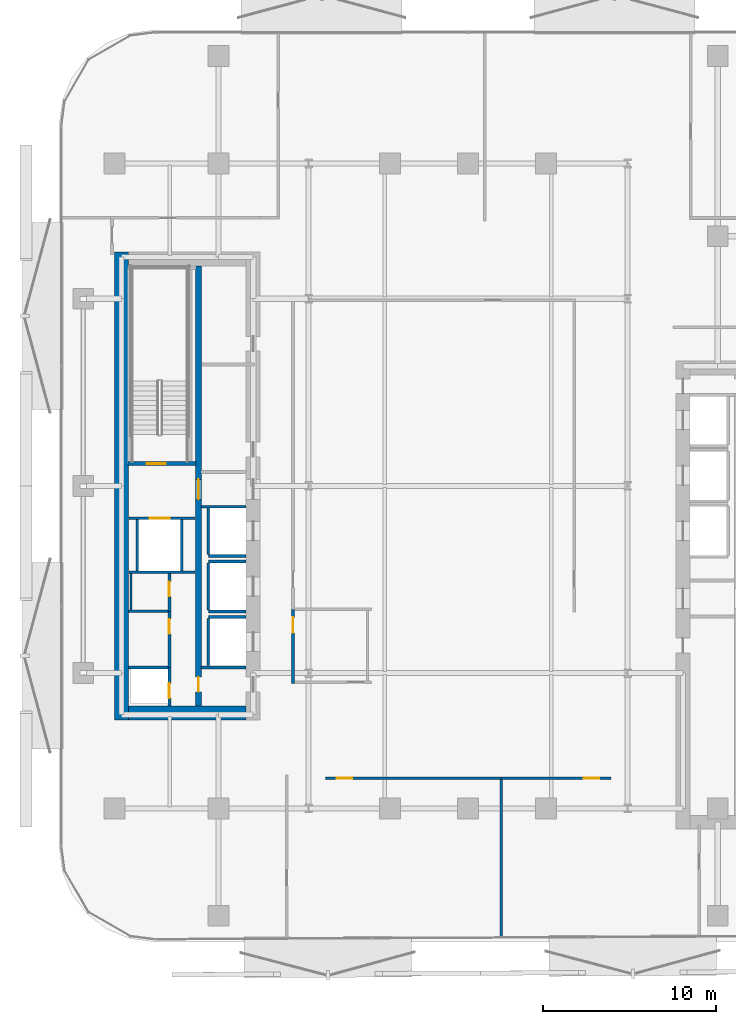
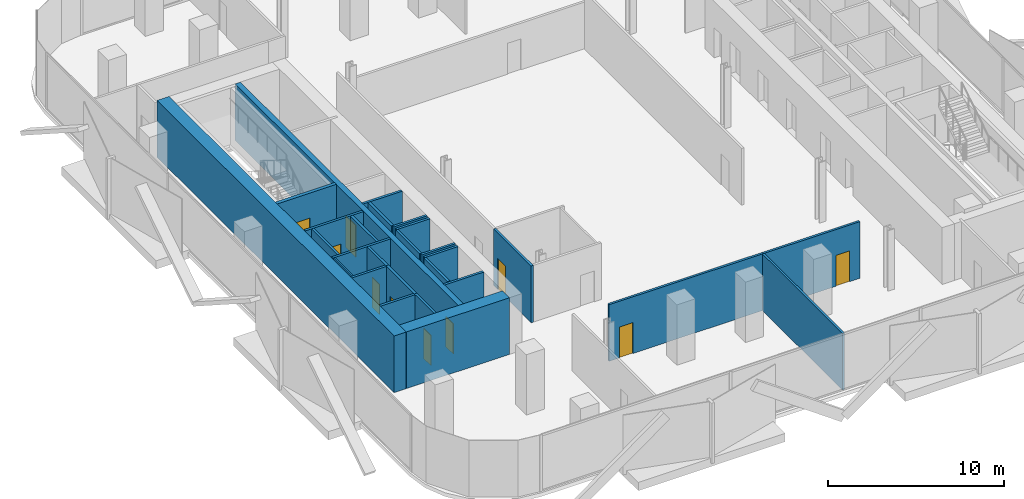
# One storey, part 3 of 15: 27 walls, 10 doors, 10 openings.
"""IFC4 building model written with IfcOpenShell, lengths in metres."""

from ifc_helpers import new_model, si_unit, direction, frame, frame_2d, origin, place, context, subcontext, project, spatial, rectangle, extrude, material, layer, layer_set, type_object, element, fill, save


model = new_model("IFC4")

# Units and contexts
model_context = context("Model", 3, precision=1e-05, world=origin(), true_north=direction((0.0, 1.0)))
body_context = subcontext(model_context, "Body", "Model", "MODEL_VIEW")
ifc_project = project(units=[si_unit("LENGTHUNIT", "METRE"), si_unit("AREAUNIT", "SQUARE_METRE"), si_unit("VOLUMEUNIT", "CUBIC_METRE"), si_unit("PLANEANGLEUNIT", "RADIAN"), si_unit("MASSUNIT", "GRAM", prefix="KILO")], contexts=[model_context])

# Site, building, storey
site_placement = place(None, origin())
site = spatial("IfcSite", under=ifc_project, at=site_placement, CompositionType="ELEMENT")
building_placement = place(site_placement, origin())
building = spatial("IfcBuilding", under=site, at=building_placement, Name="Khairoan Windgate Tower", CompositionType="ELEMENT")
storey_placement = place(building_placement, frame((0.0, 0.0, 143.60009765625)))
storey = spatial("IfcBuildingStorey", under=building, at=storey_placement, Name="L33", CompositionType="ELEMENT", Elevation=143.60009765625)

# Walls
ifc_material_1 = material(Name="Moisture-Resistant Gypsum Partition", Category="gypsum")
ifc_layer_1 = layer(ifc_material_1, 0.10009765625, Name="Moisture-Resistant Gypsum Partition")
ifc_layer_set_1 = layer_set([ifc_layer_1], Name="Moisture-Resistant Gypsum Partition")
wall_type_1 = type_object("IfcWallType", Name="Bathroom Wet-Area Partition Wall", PredefinedType="PARTITIONING", material=ifc_layer_set_1)
wall_1_placement = place(storey_placement, frame((-19.449951171875, -7.14990234375, 0.0), z_axis=(0.0, 0.0, 1.0), x_axis=(0.0, 1.0, 0.0)))
element("IfcWall", 1, at=wall_1_placement, inside=storey, type_object=wall_type_1, Name="L33 Wet Room Side Wall 034", PredefinedType="PARTITIONING", context=body_context, shape_type="SweptSolid", body=[
    extrude(rectangle(XDim=2.08984375, YDim=0.10009765625, at=frame_2d((1.044921875, 0.0))), origin(), (0.0, 0.0, 1.0), 3.93994140625),
])
ifc_material_2 = material(Name="Concrete C40/50", Category="concrete")
ifc_layer_2 = layer(ifc_material_2, 0.159912109375, Name="Concrete C40/50")
ifc_layer_set_2 = layer_set([ifc_layer_2], Name="Concrete C40/50")
wall_type_2 = type_object("IfcWallType", Name="Core and Hoistway Enclosure Wall", PredefinedType="STANDARD", material=ifc_layer_set_2)
wall_2_placement = place(storey_placement, frame((-14.989990234375, -4.0400390625, 0.0), z_axis=(0.0, 0.0, 1.0), x_axis=(1.0, 0.0, 0.0)))
element("IfcWall", 2, at=wall_2_placement, inside=storey, type_object=wall_type_2, Name="L33 Lift PL4 Hoistway Divider S", PredefinedType="STANDARD", context=body_context, shape_type="SweptSolid", body=[
    extrude(rectangle(XDim=2.18994140625, YDim=0.159912109375, at=frame_2d((1.094970703125, 0.0))), origin(), (0.0, 0.0, 1.0), 3.93994140625),
])
wall_3_placement = place(storey_placement, frame((-14.989990234375, -3.949951171875, 0.0), z_axis=(0.0, 0.0, 1.0), x_axis=(0.0, 1.0, 0.0)))
element("IfcWall", 3, at=wall_3_placement, inside=storey, type_object=wall_type_2, Name="L33 Lift PL4 Hoistway Back Wall", PredefinedType="STANDARD", context=body_context, shape_type="SweptSolid", body=[
    extrude(rectangle(XDim=2.699951171875, YDim=0.159912109375, at=frame_2d((1.35009765625, 0.0))), origin(), (0.0, 0.0, 1.0), 3.93994140625),
])
for number, where, z_axis, x_axis, name in (
    (4, (-14.989990234375, -7.239990234375, 0.0), (0.0, 0.0, 1.0), (1.0, 0.0, 0.0), "L33 Lift PL5 Hoistway Divider S"),
    (5, (-14.989990234375, -4.360107421875, 0.0), (0.0, 0.0, 1.0), (1.0, 0.0, 0.0), "L33 Lift PL5 Hoistway Divider N"),
):
    element("IfcWall", number, at=place(storey_placement, frame(where, z_axis=z_axis, x_axis=x_axis)), inside=storey, type_object=wall_type_2, Name=name, PredefinedType="STANDARD", context=body_context, shape_type="SweptSolid", body=[
        extrude(rectangle(XDim=2.18994140625, YDim=0.159912109375, at=frame_2d((1.094970703125, 0.0))), origin(), (0.0, 0.0, 1.0), 3.93994140625),
    ])
wall_4_placement = place(storey_placement, frame((-14.989990234375, -7.14990234375, 0.0), z_axis=(0.0, 0.0, 1.0), x_axis=(0.0, 1.0, 0.0)))
element("IfcWall", 6, at=wall_4_placement, inside=storey, type_object=wall_type_2, Name="L33 Lift PL5 Hoistway Back Wall", PredefinedType="STANDARD", context=body_context, shape_type="SweptSolid", body=[
    extrude(rectangle(XDim=2.699951171875, YDim=0.159912109375, at=frame_2d((1.35009765625, 0.0))), origin(), (0.0, 0.0, 1.0), 3.93994140625),
])
wall_5_placement = place(storey_placement, frame((-14.989990234375, -7.56005859375, 0.0), z_axis=(0.0, 0.0, 1.0), x_axis=(1.0, 0.0, 0.0)))
element("IfcWall", 7, at=wall_5_placement, inside=storey, type_object=wall_type_2, Name="L33 Lift PL6 Hoistway Divider N", PredefinedType="STANDARD", context=body_context, shape_type="SweptSolid", body=[
    extrude(rectangle(XDim=2.18994140625, YDim=0.159912109375, at=frame_2d((1.094970703125, 0.0))), origin(), (0.0, 0.0, 1.0), 3.93994140625),
])
wall_6_placement = place(storey_placement, frame((-14.989990234375, -10.35009765625, 0.0), z_axis=(0.0, 0.0, 1.0), x_axis=(0.0, 1.0, 0.0)))
element("IfcWall", 8, at=wall_6_placement, inside=storey, type_object=wall_type_2, Name="L33 Lift PL6 Hoistway Back Wall", PredefinedType="STANDARD", context=body_context, shape_type="SweptSolid", body=[
    extrude(rectangle(XDim=2.7001953125, YDim=0.159912109375, at=frame_2d((1.35009765625, 0.0))), origin(), (0.0, 0.0, 1.0), 3.93994140625),
])

# Wall, opening, door
wall_7_placement = place(storey_placement, frame((-19.550048828125, -1.860107421875, 0.0), z_axis=(0.0, 0.0, 1.0), x_axis=(1.0, 0.0, 0.0)))
wall_7 = element("IfcWall", 9, at=wall_7_placement, inside=storey, type_object=wall_type_2, Name="L33 Core Shaft Wall SW-FL2-L33", PredefinedType="STANDARD", context=body_context, shape_type="SweptSolid", body=[
    extrude(rectangle(XDim=3.800048828125, YDim=0.159912109375, at=frame_2d((1.89990234375, 0.0))), origin(), (0.0, 0.0, 1.0), 3.93994140625),
])
opening_1_placement = place(wall_7_placement, frame((1.179931640625, 0.0, 0.0)))
opening_1 = element("IfcOpeningElement", 10, at=opening_1_placement, cuts=wall_7, Name="Opening LD-FL", PredefinedType="OPENING", context=body_context, shape_type="SweptSolid", body=[
    extrude(rectangle(XDim=1.14990234375, YDim=2.199951171875, at=frame_2d((0.574951171875, 1.10009765625))), frame((0.0, 0.08984375, 0.0), z_axis=(0.0, -1.0, 0.0), x_axis=(1.0, 0.0, 0.0)), (0.0, 0.0, 1.0), 0.179931640625),
])
ifc_material_3 = material(Name="Steel S355", Category="steel")
door_type_1 = type_object("IfcDoorType", Name="Firefighting Lift Sliding Landing Door LD-FL 1150x2200", OperationType="DOUBLE_DOOR_SLIDING", PredefinedType="DOOR", material=ifc_material_3)
door_1_placement = place(opening_1_placement, origin())
door_1 = element("IfcDoor", 11, at=door_1_placement, inside=storey, type_object=door_type_1, Name="L33 Firefighting Lift FL2 Landing Door", OperationType="DOUBLE_DOOR_SLIDING", OverallHeight=2.199951171875, OverallWidth=1.14990234375, PredefinedType="DOOR", context=body_context, shape_type="SweptSolid", body=[
    extrude(rectangle(XDim=1.14990234375, YDim=2.199951171875, at=frame_2d((0.574951171875, 1.10009765625))), frame((0.0, 0.02490234375, 0.0), z_axis=(0.0, -1.0, 0.0), x_axis=(1.0, 0.0, 0.0)), (0.0, 0.0, 1.0), 0.050048828125),
])
fill(opening_1, door_1)

# Walls
wall_8_placement = place(storey_placement, frame((-19.550048828125, -4.97998046875, 0.0), z_axis=(0.0, 0.0, 1.0), x_axis=(1.0, 0.0, 0.0)))
element("IfcWall", 12, at=wall_8_placement, inside=storey, type_object=wall_type_2, Name="L33 Core Shaft Wall SW-FL2B-L33", PredefinedType="STANDARD", context=body_context, shape_type="SweptSolid", body=[
    extrude(rectangle(XDim=3.800048828125, YDim=0.159912109375, at=frame_2d((1.89990234375, 0.0))), origin(), (0.0, 0.0, 1.0), 3.93994140625),
])
for number, where, z_axis, x_axis, name in (
    (13, (-19.080078125, -4.89990234375, 0.0), (0.0, 0.0, 1.0), (0.0, 1.0, 0.0), "L33 Core Shaft Wall SW-FL2W-L33"),
    (14, (-16.52001953125, -4.89990234375, 0.0), (0.0, 0.0, 1.0), (0.0, 1.0, 0.0), "L33 Core Shaft Wall SW-FL2E-L33"),
):
    element("IfcWall", number, at=place(storey_placement, frame(where, z_axis=z_axis, x_axis=x_axis)), inside=storey, type_object=wall_type_2, Name=name, PredefinedType="STANDARD", context=body_context, shape_type="SweptSolid", body=[
        extrude(rectangle(XDim=2.9599609375, YDim=0.159912109375, at=frame_2d((1.47998046875, 0.0))), origin(), (0.0, 0.0, 1.0), 3.93994140625),
    ])
for number, where, z_axis, x_axis, name in (
    (15, (-15.39990234375, -1.199951171875, 0.0), (0.0, 0.0, 1.0), (1.0, 0.0, 0.0), "L33 Core Shaft Wall SW-WV2-L33"),
    (16, (-15.39990234375, -10.47998046875, 0.0), (0.0, 0.0, 1.0), (1.0, 0.0, 0.0), "L33 Core Shaft Wall SW-WSV-L33"),
):
    element("IfcWall", number, at=place(storey_placement, frame(where, z_axis=z_axis, x_axis=x_axis)), inside=storey, type_object=wall_type_2, Name=name, PredefinedType="STANDARD", context=body_context, shape_type="SweptSolid", body=[
        extrude(rectangle(XDim=2.599853515625, YDim=0.159912109375, at=frame_2d((1.2998046875, 0.0))), origin(), (0.0, 0.0, 1.0), 3.93994140625),
    ])
ifc_material_4 = material(Name="Acoustic Fire-Rated Gypsum Partition", Category="gypsum")
ifc_layer_3 = layer(ifc_material_4, 0.139892578125, Name="Acoustic Fire-Rated Gypsum Partition")
ifc_layer_set_3 = layer_set([ifc_layer_3], Name="Acoustic Fire-Rated Gypsum Partition")
wall_type_3 = type_object("IfcWallType", Name="Inter-Tenancy Compartment Wall", PredefinedType="PARTITIONING", material=ifc_layer_set_3)
wall_9_placement = place(storey_placement, frame((1.904052734375, -26.05712890625, 0.0), z_axis=(0.0, 0.0, 1.0), x_axis=(0.0, 1.0, 0.0)))
element("IfcWall", 17, at=wall_9_placement, inside=storey, type_object=wall_type_3, Name="L33 Interior Partition 031", PredefinedType="PARTITIONING", context=body_context, shape_type="SweptSolid", body=[
    extrude(rectangle(XDim=9.1220703125, YDim=0.139892578125, at=frame_2d((4.56103515625, 0.0))), origin(), (0.0, 0.0, 1.0), 3.93994140625),
])

# Wall, opening, door
ifc_material_5 = material(Name="Concrete C40/50", Category="concrete")
ifc_layer_4 = layer(ifc_material_5, 0.159912109375, Name="Concrete C40/50")
ifc_layer_set_4 = layer_set([ifc_layer_4], Name="Concrete C40/50")
wall_type_4 = type_object("IfcWallType", Name="Plant and Refuge Compartment Wall", PredefinedType="PARTITIONING", material=ifc_layer_set_4)
wall_10_placement = place(storey_placement, frame((-17.22998046875, -12.699951171875, 0.0), z_axis=(0.0, 0.0, 1.0), x_axis=(0.0, 1.0, 0.0)))
wall_10 = element("IfcWall", 18, at=wall_10_placement, inside=storey, type_object=wall_type_4, Name="L33 Interior Partition 001", PredefinedType="PARTITIONING", context=body_context, shape_type="SweptSolid", body=[
    extrude(rectangle(XDim=2.22998046875, YDim=0.159912109375, at=frame_2d((1.114990234375, 0.0))), origin(), (0.0, 0.0, 1.0), 3.93994140625),
])
opening_2_placement = place(wall_10_placement, frame((0.4599609375, 0.0, 0.0)))
opening_2 = element("IfcOpeningElement", 19, at=opening_2_placement, cuts=wall_10, Name="Opening FD-SRV", PredefinedType="OPENING", context=body_context, shape_type="SweptSolid", body=[
    extrude(rectangle(XDim=0.85009765625, YDim=2.10009765625, at=frame_2d((0.425048828125, 1.050048828125))), frame((0.0, 0.08984375, 0.0), z_axis=(0.0, -1.0, 0.0), x_axis=(1.0, 0.0, 0.0)), (0.0, 0.0, 1.0), 0.179931640625),
])
ifc_material_6 = material(Name="Steel S355", Category="steel")
door_type_2 = type_object("IfcDoorType", Name="Core Service and Riser Fire Door FD-SRV 850x2100", OperationType="NOTDEFINED", PredefinedType="DOOR", material=ifc_material_6)
door_2_placement = place(opening_2_placement, origin())
door_2 = element("IfcDoor", 20, at=door_2_placement, inside=storey, type_object=door_type_2, Name="L33 L33-04-L33-05 Door", OperationType="SINGLE_SWING_RIGHT", OverallHeight=2.10009765625, OverallWidth=0.85009765625, PredefinedType="DOOR", context=body_context, shape_type="SweptSolid", body=[
    extrude(rectangle(XDim=0.85009765625, YDim=2.10009765625, at=frame_2d((0.425048828125, 1.050048828125))), frame((0.0, 0.02490234375, 0.0), z_axis=(0.0, -1.0, 0.0), x_axis=(1.0, 0.0, 0.0)), (0.0, 0.0, 1.0), 0.050048828125),
])
fill(opening_2, door_2)

wall_11_placement = place(storey_placement, frame((-17.22998046875, -7.22998046875, 0.0), z_axis=(0.0, 0.0, 1.0), x_axis=(0.0, 1.0, 0.0)))
wall_11 = element("IfcWall", 21, at=wall_11_placement, inside=storey, type_object=wall_type_4, Name="L33 Interior Partition 002", PredefinedType="PARTITIONING", context=body_context, shape_type="SweptSolid", body=[
    extrude(rectangle(XDim=2.169921875, YDim=0.159912109375, at=frame_2d((1.0849609375, 0.0))), origin(), (0.0, 0.0, 1.0), 3.93994140625),
])
opening_3_placement = place(wall_11_placement, frame((0.860107421875, 0.0, 0.0)))
opening_3 = element("IfcOpeningElement", 22, at=opening_3_placement, cuts=wall_11, Name="Opening FD-SRV", PredefinedType="OPENING", context=body_context, shape_type="SweptSolid", body=[
    extrude(rectangle(XDim=0.85009765625, YDim=2.10009765625, at=frame_2d((0.425048828125, 1.050048828125))), frame((0.0, 0.08984375, 0.0), z_axis=(0.0, -1.0, 0.0), x_axis=(1.0, 0.0, 0.0)), (0.0, 0.0, 1.0), 0.179931640625),
])
door_3_placement = place(opening_3_placement, origin())
door_3 = element("IfcDoor", 23, at=door_3_placement, inside=storey, type_object=door_type_2, Name="L33 L33-04-L33-06 Door", OperationType="SINGLE_SWING_LEFT", OverallHeight=2.10009765625, OverallWidth=0.85009765625, PredefinedType="DOOR", context=body_context, shape_type="SweptSolid", body=[
    extrude(rectangle(XDim=0.85009765625, YDim=2.10009765625, at=frame_2d((0.425048828125, 1.050048828125))), frame((0.0, 0.02490234375, 0.0), z_axis=(0.0, -1.0, 0.0), x_axis=(1.0, 0.0, 0.0)), (0.0, 0.0, 1.0), 0.050048828125),
])
fill(opening_3, door_3)

wall_12_placement = place(storey_placement, frame((-17.22998046875, -10.469970703125, 0.0), z_axis=(0.0, 0.0, 1.0), x_axis=(0.0, 1.0, 0.0)))
wall_12 = element("IfcWall", 24, at=wall_12_placement, inside=storey, type_object=wall_type_4, Name="L33 Interior Partition 003", PredefinedType="PARTITIONING", context=body_context, shape_type="SweptSolid", body=[
    extrude(rectangle(XDim=3.239990234375, YDim=0.159912109375, at=frame_2d((1.6201171875, 0.0))), origin(), (0.0, 0.0, 1.0), 3.93994140625),
])
opening_4_placement = place(wall_12_placement, frame((1.929931640625, 0.0, 0.0)))
opening_4 = element("IfcOpeningElement", 25, at=opening_4_placement, cuts=wall_12, Name="Opening FD-SRV", PredefinedType="OPENING", context=body_context, shape_type="SweptSolid", body=[
    extrude(rectangle(XDim=0.85009765625, YDim=2.10009765625, at=frame_2d((0.425048828125, 1.050048828125))), frame((0.0, 0.08984375, 0.0), z_axis=(0.0, -1.0, 0.0), x_axis=(1.0, 0.0, 0.0)), (0.0, 0.0, 1.0), 0.179931640625),
])
door_4_placement = place(opening_4_placement, origin())
door_4 = element("IfcDoor", 26, at=door_4_placement, inside=storey, type_object=door_type_2, Name="L33 L33-04-L33-07 Door", OperationType="SINGLE_SWING_RIGHT", OverallHeight=2.10009765625, OverallWidth=0.85009765625, PredefinedType="DOOR", context=body_context, shape_type="SweptSolid", body=[
    extrude(rectangle(XDim=0.85009765625, YDim=2.10009765625, at=frame_2d((0.425048828125, 1.050048828125))), frame((0.0, 0.02490234375, 0.0), z_axis=(0.0, -1.0, 0.0), x_axis=(1.0, 0.0, 0.0)), (0.0, 0.0, 1.0), 0.050048828125),
])
fill(opening_4, door_4)

# Walls
for number, where, z_axis, x_axis, name in (
    (27, (-19.60009765625, -10.469970703125, 0.0), (0.0, 0.0, 1.0), (1.0, 0.0, 0.0), "L33 Interior Partition 004"),
    (28, (-19.60009765625, -7.22998046875, 0.0), (0.0, 0.0, 1.0), (1.0, 0.0, 0.0), "L33 Interior Partition 005"),
):
    element("IfcWall", number, at=place(storey_placement, frame(where, z_axis=z_axis, x_axis=x_axis)), inside=storey, type_object=wall_type_4, Name=name, PredefinedType="PARTITIONING", context=body_context, shape_type="SweptSolid", body=[
        extrude(rectangle(XDim=2.2900390625, YDim=0.159912109375, at=frame_2d((1.14501953125, 0.0))), origin(), (0.0, 0.0, 1.0), 3.93994140625),
    ])

# Wall, opening, door
ifc_material_7 = material(Name="Acoustic Fire-Rated Gypsum Partition", Category="gypsum")
ifc_layer_5 = layer(ifc_material_7, 0.14990234375, Name="Acoustic Fire-Rated Gypsum Partition")
ifc_layer_set_5 = layer_set([ifc_layer_5], Name="Acoustic Fire-Rated Gypsum Partition")
wall_type_5 = type_object("IfcWallType", Name="Rated Corridor Partition Wall", PredefinedType="PARTITIONING", material=ifc_layer_set_5)
wall_13_placement = place(storey_placement, frame((-10.10009765625, -11.39501953125, 0.0), z_axis=(0.0, 0.0, 1.0), x_axis=(0.0, 1.0, 0.0)))
wall_13 = element("IfcWall", 29, at=wall_13_placement, inside=storey, type_object=wall_type_5, Name="L33 Interior Partition 013", PredefinedType="PARTITIONING", context=body_context, shape_type="SweptSolid", body=[
    extrude(rectangle(XDim=4.27490234375, YDim=0.14990234375, at=frame_2d((2.137451171875, 0.0))), origin(), (0.0, 0.0, 1.0), 3.93994140625),
])
opening_5_placement = place(wall_13_placement, frame((2.9150390625, 0.0, 0.0)))
opening_5 = element("IfcOpeningElement", 30, at=opening_5_placement, cuts=wall_13, Name="Opening FD-ENT", PredefinedType="OPENING", context=body_context, shape_type="SweptSolid", body=[
    extrude(rectangle(XDim=0.89990234375, YDim=2.14990234375, at=frame_2d((0.449951171875, 1.074951171875))), frame((0.0, 0.0849609375, 0.0), z_axis=(0.0, -1.0, 0.0), x_axis=(1.0, 0.0, 0.0)), (0.0, 0.0, 1.0), 0.169921875),
])
ifc_material_8 = material(Name="Timber Fire-Rated Core", Category="wood")
door_type_3 = type_object("IfcDoorType", Name="Unit and Office Fire Entrance Door FD-ENT 900x2150", OperationType="NOTDEFINED", PredefinedType="DOOR", material=ifc_material_8)
door_5_placement = place(opening_5_placement, origin())
door_5 = element("IfcDoor", 31, at=door_5_placement, inside=storey, type_object=door_type_3, Name="L33 L33-28-L33-48 Door", OperationType="SINGLE_SWING_LEFT", OverallHeight=2.14990234375, OverallWidth=0.89990234375, PredefinedType="DOOR", context=body_context, shape_type="SweptSolid", body=[
    extrude(rectangle(XDim=0.89990234375, YDim=2.14990234375, at=frame_2d((0.449951171875, 1.074951171875))), frame((0.0, 0.02490234375, 0.0), z_axis=(0.0, -1.0, 0.0), x_axis=(1.0, 0.0, 0.0)), (0.0, 0.0, 1.0), 0.050048828125),
])
fill(opening_5, door_5)

wall_14_placement = place(storey_placement, frame((-8.239990234375, -16.860107421875, 0.0), z_axis=(0.0, 0.0, 1.0), x_axis=(1.0, 0.0, 0.0)))
wall_14 = element("IfcWall", 32, at=wall_14_placement, inside=storey, type_object=wall_type_5, Name="L33 Interior Partition 022", PredefinedType="PARTITIONING", context=body_context, shape_type="SweptSolid", body=[
    extrude(rectangle(XDim=10.14404296875, YDim=0.14990234375, at=frame_2d((5.072021484375, 0.0))), origin(), (0.0, 0.0, 1.0), 3.93994140625),
])
opening_6_placement = place(wall_14_placement, frame((0.6630859375, 0.0, 0.0)))
opening_6 = element("IfcOpeningElement", 33, at=opening_6_placement, cuts=wall_14, Name="Opening FD-ENT", PredefinedType="OPENING", context=body_context, shape_type="SweptSolid", body=[
    extrude(rectangle(XDim=0.89990234375, YDim=2.14990234375, at=frame_2d((0.449951171875, 1.074951171875))), frame((0.0, 0.0849609375, 0.0), z_axis=(0.0, -1.0, 0.0), x_axis=(1.0, 0.0, 0.0)), (0.0, 0.0, 1.0), 0.169921875),
])
door_6_placement = place(opening_6_placement, origin())
door_6 = element("IfcDoor", 34, at=door_6_placement, inside=storey, type_object=door_type_3, Name="L33 L33-35-L33-45 Door", OperationType="SINGLE_SWING_RIGHT", OverallHeight=2.14990234375, OverallWidth=0.89990234375, PredefinedType="DOOR", context=body_context, shape_type="SweptSolid", body=[
    extrude(rectangle(XDim=0.89990234375, YDim=2.14990234375, at=frame_2d((0.449951171875, 1.074951171875))), frame((0.0, 0.02490234375, 0.0), z_axis=(0.0, -1.0, 0.0), x_axis=(1.0, 0.0, 0.0)), (0.0, 0.0, 1.0), 0.050048828125),
])
fill(opening_6, door_6)

wall_15_placement = place(storey_placement, frame((1.904052734375, -16.860107421875, 0.0), z_axis=(0.0, 0.0, 1.0), x_axis=(1.0, 0.0, 0.0)))
wall_15 = element("IfcWall", 35, at=wall_15_placement, inside=storey, type_object=wall_type_5, Name="L33 Interior Partition 023", PredefinedType="PARTITIONING", context=body_context, shape_type="SweptSolid", body=[
    extrude(rectangle(XDim=6.3359375, YDim=0.14990234375, at=frame_2d((3.16796875, 0.0))), origin(), (0.0, 0.0, 1.0), 3.93994140625),
])
opening_7_placement = place(wall_15_placement, frame((4.770751953125, 0.0, 0.0)))
opening_7 = element("IfcOpeningElement", 36, at=opening_7_placement, cuts=wall_15, Name="Opening FD-ENT", PredefinedType="OPENING", context=body_context, shape_type="SweptSolid", body=[
    extrude(rectangle(XDim=0.89990234375, YDim=2.14990234375, at=frame_2d((0.449951171875, 1.074951171875))), frame((0.0, 0.0849609375, 0.0), z_axis=(0.0, -1.0, 0.0), x_axis=(1.0, 0.0, 0.0)), (0.0, 0.0, 1.0), 0.169921875),
])
door_7_placement = place(opening_7_placement, origin())
door_7 = element("IfcDoor", 37, at=door_7_placement, inside=storey, type_object=door_type_3, Name="L33 L33-35-L33-46 Door", OperationType="SINGLE_SWING_LEFT", OverallHeight=2.14990234375, OverallWidth=0.89990234375, PredefinedType="DOOR", context=body_context, shape_type="SweptSolid", body=[
    extrude(rectangle(XDim=0.89990234375, YDim=2.14990234375, at=frame_2d((0.449951171875, 1.074951171875))), frame((0.0, 0.02490234375, 0.0), z_axis=(0.0, -1.0, 0.0), x_axis=(1.0, 0.0, 0.0)), (0.0, 0.0, 1.0), 0.050048828125),
])
fill(opening_7, door_7)

# Walls
ifc_material_9 = material(Name="Concrete C70/85", Category="concrete")
ifc_layer_6 = layer(ifc_material_9, 0.800048828125, Name="Concrete C70/85")
ifc_layer_set_6 = layer_set([ifc_layer_6], Name="Concrete C70/85")
wall_type_6 = type_object("IfcWallType", Name="Shear Wall CW-W1 800mm", PredefinedType="SHEAR", material=ifc_layer_set_6)
wall_16_placement = place(storey_placement, frame((-20.0, -13.5, 0.0), z_axis=(0.0, 0.0, 1.0), x_axis=(0.0, 1.0, 0.0)))
element("IfcWall", 38, at=wall_16_placement, inside=storey, type_object=wall_type_6, Name="W Core West Shear Wall L33", PredefinedType="SHEAR", context=body_context, shape_type="SweptSolid", body=[
    extrude(rectangle(XDim=27.0, YDim=0.800048828125, at=frame_2d((13.5, 0.0))), origin(), (0.0, 0.0, 1.0), 3.93994140625),
])
wall_17_placement = place(storey_placement, frame((-19.60009765625, -13.10009765625, 0.0), z_axis=(0.0, 0.0, 1.0), x_axis=(1.0, 0.0, 0.0)))
element("IfcWall", 39, at=wall_17_placement, inside=storey, type_object=wall_type_6, Name="W Core South Shear Wall L33", PredefinedType="SHEAR", context=body_context, shape_type="SweptSolid", body=[
    extrude(rectangle(XDim=6.800048828125, YDim=0.800048828125, at=frame_2d((3.39990234375, 0.0))), origin(), (0.0, 0.0, 1.0), 3.93994140625),
])

# Wall, openings, doors
ifc_material_10 = material(Name="Concrete C60/75", Category="concrete")
ifc_layer_7 = layer(ifc_material_10, 0.35009765625, Name="Concrete C60/75")
ifc_layer_set_7 = layer_set([ifc_layer_7], Name="Concrete C60/75")
wall_type_7 = type_object("IfcWallType", Name="Shear Wall SW-1 350mm", PredefinedType="SHEAR", material=ifc_layer_set_7)
wall_18_placement = place(storey_placement, frame((-15.550048828125, -12.699951171875, 0.0), z_axis=(0.0, 0.0, 1.0), x_axis=(0.0, 1.0, 0.0)))
wall_18 = element("IfcWall", 40, at=wall_18_placement, inside=storey, type_object=wall_type_7, Name="W Core Spine Shear Wall L33", PredefinedType="SHEAR", context=body_context, shape_type="SweptSolid", body=[
    extrude(rectangle(XDim=25.39990234375, YDim=0.35009765625, at=frame_2d((12.699951171875, 0.0))), origin(), (0.0, 0.0, 1.0), 3.93994140625),
])
opening_8_placement = place(wall_18_placement, frame((11.925048828125, 0.0, 0.0)))
opening_8 = element("IfcOpeningElement", 41, at=opening_8_placement, cuts=wall_18, Name="Opening FD-FFL", PredefinedType="OPENING", context=body_context, shape_type="SweptSolid", body=[
    extrude(rectangle(XDim=1.14990234375, YDim=2.199951171875, at=frame_2d((0.574951171875, 1.10009765625))), frame((0.0, 0.18505859375, 0.0), z_axis=(0.0, -1.0, 0.0), x_axis=(1.0, 0.0, 0.0)), (0.0, 0.0, 1.0), 0.3701171875),
])
opening_9_placement = place(wall_18_placement, frame((0.824951171875, 0.0, 0.0)))
opening_9 = element("IfcOpeningElement", 42, at=opening_9_placement, cuts=wall_18, Name="Opening FD-SRV", PredefinedType="OPENING", context=body_context, shape_type="SweptSolid", body=[
    extrude(rectangle(XDim=0.85009765625, YDim=2.10009765625, at=frame_2d((0.425048828125, 1.050048828125))), frame((0.0, 0.18505859375, 0.0), z_axis=(0.0, -1.0, 0.0), x_axis=(1.0, 0.0, 0.0)), (0.0, 0.0, 1.0), 0.3701171875),
])
door_8_placement = place(opening_9_placement, origin())
door_8 = element("IfcDoor", 43, at=door_8_placement, inside=storey, type_object=door_type_2, Name="L33 West Core Service Passage Inner Door", OperationType="SINGLE_SWING_LEFT", OverallHeight=2.10009765625, OverallWidth=0.85009765625, PredefinedType="DOOR", context=body_context, shape_type="SweptSolid", body=[
    extrude(rectangle(XDim=0.85009765625, YDim=2.10009765625, at=frame_2d((0.425048828125, 1.050048828125))), frame((0.0, 0.02490234375, 0.0), z_axis=(0.0, -1.0, 0.0), x_axis=(1.0, 0.0, 0.0)), (0.0, 0.0, 1.0), 0.050048828125),
])
fill(opening_9, door_8)
ifc_material_11 = material(Name="Steel S355", Category="steel")
door_type_4 = type_object("IfcDoorType", Name="Firefighting Lobby Fire Door FD-FFL 1150x2200", OperationType="NOTDEFINED", PredefinedType="DOOR", material=ifc_material_11)
door_9_placement = place(opening_8_placement, origin())
door_9 = element("IfcDoor", 44, at=door_9_placement, inside=storey, type_object=door_type_4, Name="L33 West Firefighting Lobby Fire Door", OperationType="SINGLE_SWING_LEFT", OverallHeight=2.199951171875, OverallWidth=1.14990234375, PredefinedType="DOOR", context=body_context, shape_type="SweptSolid", body=[
    extrude(rectangle(XDim=1.14990234375, YDim=2.199951171875, at=frame_2d((0.574951171875, 1.10009765625))), frame((0.0, 0.02490234375, 0.0), z_axis=(0.0, -1.0, 0.0), x_axis=(1.0, 0.0, 0.0)), (0.0, 0.0, 1.0), 0.050048828125),
])
fill(opening_8, door_9)

# Wall, opening, door
ifc_material_12 = material(Name="Concrete C50/60", Category="concrete")
ifc_layer_8 = layer(ifc_material_12, 0.219970703125, Name="Concrete C50/60")
ifc_layer_set_8 = layer_set([ifc_layer_8], Name="Concrete C50/60")
wall_type_8 = type_object("IfcWallType", Name="Shear Wall SW-ST 220mm", PredefinedType="SHEAR", material=ifc_layer_set_8)
wall_19_placement = place(storey_placement, frame((-19.6201171875, 1.2900390625, 0.0), z_axis=(0.0, 0.0, 1.0), x_axis=(1.0, 0.0, 0.0)))
wall_19 = element("IfcWall", 45, at=wall_19_placement, inside=storey, type_object=wall_type_8, Name="L33 Stair ST2 South Bearing Wall", PredefinedType="SHEAR", context=body_context, shape_type="SweptSolid", body=[
    extrude(rectangle(XDim=3.9150390625, YDim=0.219970703125, at=frame_2d((1.95751953125, 0.0))), origin(), (0.0, 0.0, 1.0), 3.93994140625),
])
opening_10_placement = place(wall_19_placement, frame((1.080078125, 0.0, 0.0)))
opening_10 = element("IfcOpeningElement", 46, at=opening_10_placement, cuts=wall_19, Name="Opening FD-ST", PredefinedType="OPENING", context=body_context, shape_type="SweptSolid", body=[
    extrude(rectangle(XDim=1.10009765625, YDim=2.199951171875, at=frame_2d((0.550048828125, 1.10009765625))), frame((0.0, 0.119873046875, 0.0), z_axis=(0.0, -1.0, 0.0), x_axis=(1.0, 0.0, 0.0)), (0.0, 0.0, 1.0), 0.239990234375),
])
ifc_material_13 = material(Name="Steel S355", Category="steel")
door_type_5 = type_object("IfcDoorType", Name="Smokeproof Stair Fire Door FD-ST 1100x2200", OperationType="NOTDEFINED", PredefinedType="DOOR", material=ifc_material_13)
door_10_placement = place(opening_10_placement, origin())
door_10 = element("IfcDoor", 47, at=door_10_placement, inside=storey, type_object=door_type_5, Name="L33 Stair ST2 Fire Door", OperationType="SINGLE_SWING_RIGHT", OverallHeight=2.199951171875, OverallWidth=1.10009765625, PredefinedType="DOOR", context=body_context, shape_type="SweptSolid", body=[
    extrude(rectangle(XDim=1.10009765625, YDim=2.199951171875, at=frame_2d((0.550048828125, 1.10009765625))), frame((0.0, 0.02490234375, 0.0), z_axis=(0.0, -1.0, 0.0), x_axis=(1.0, 0.0, 0.0)), (0.0, 0.0, 1.0), 0.050048828125),
])
fill(opening_10, door_10)

save(model, "model.ifc")
